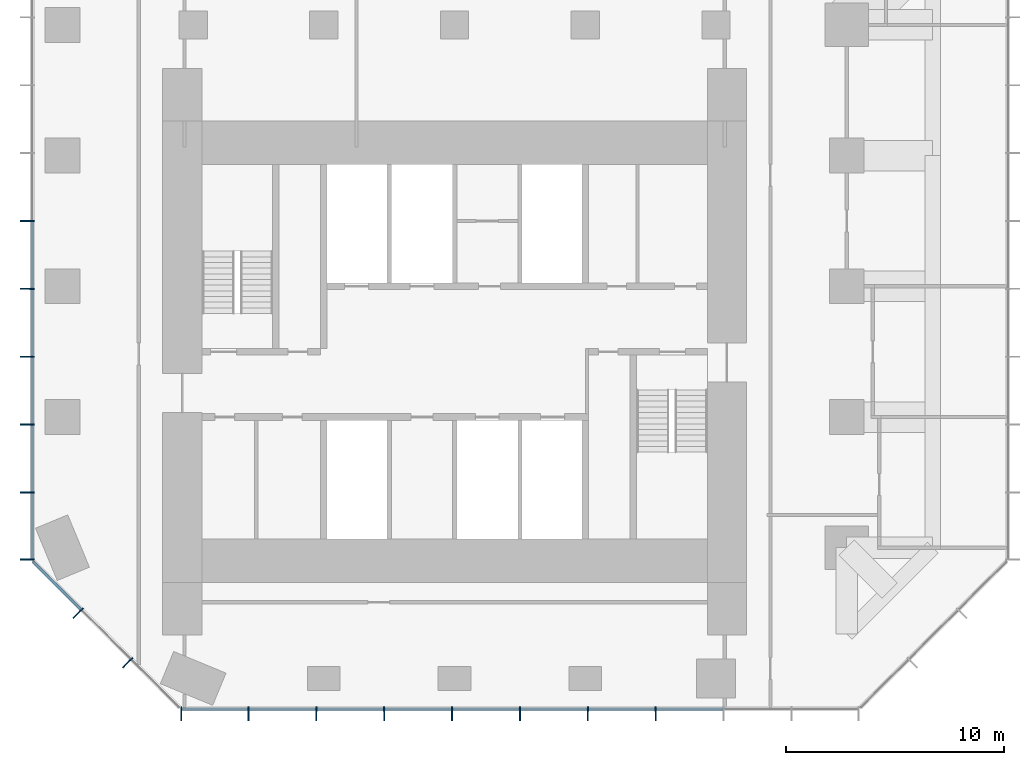
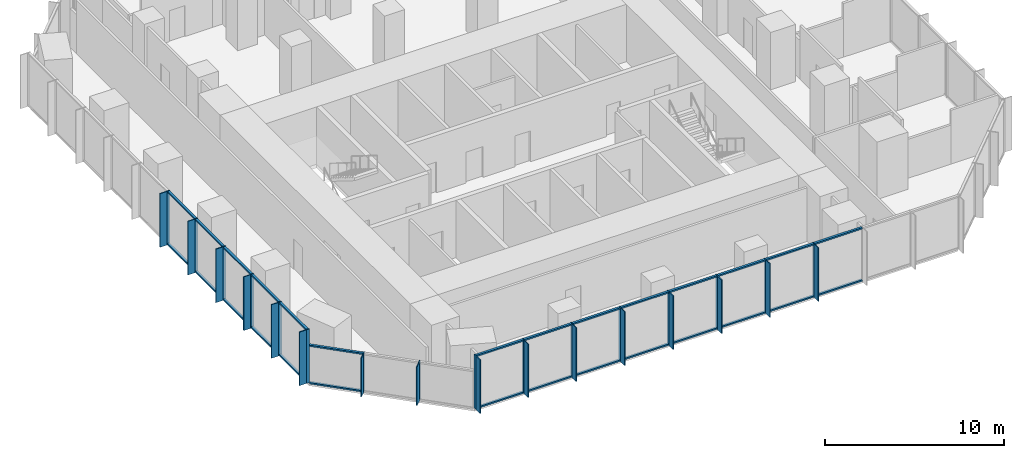
# One storey, part 2 of 11: 60 members, 3 elements without a shape of their own.
"""IFC4 building model written with IfcOpenShell, lengths in metres."""

from ifc_helpers import new_model, si_unit, direction, frame, origin, origin_2d, place, context, subcontext, project, spatial, rectangle, extrude, material, layer, layer_set, material_profile, profile_set, type_object, element, aggregate, save


model = new_model("IFC4")

# Units and contexts
model_context = context("Model", 3, precision=1e-05, world=origin(), true_north=direction((0.0, 1.0)))
body_context = subcontext(model_context, "Body", "Model", "MODEL_VIEW")
ifc_project = project(units=[si_unit("LENGTHUNIT", "METRE"), si_unit("AREAUNIT", "SQUARE_METRE"), si_unit("VOLUMEUNIT", "CUBIC_METRE"), si_unit("PLANEANGLEUNIT", "RADIAN"), si_unit("MASSUNIT", "GRAM", prefix="KILO")], contexts=[model_context])

# Site, building, storey
site_placement = place(None, origin())
site = spatial("IfcSite", under=ifc_project, at=site_placement, CompositionType="ELEMENT")
building_placement = place(site_placement, origin())
building = spatial("IfcBuilding", under=site, at=building_placement, Name="Highveld Stack Headquarters", CompositionType="ELEMENT")
storey_placement = place(building_placement, frame((0.0, 0.0, 185.0)))
storey = spatial("IfcBuildingStorey", under=building, at=storey_placement, Name="L45", CompositionType="ELEMENT", Elevation=185.0)

# Curtain wall, members
ifc_material_1 = material(Name="Aluminium bronze anodised", Category="aluminium")
ifc_layer_1 = layer(ifc_material_1, 0.199951171875)
ifc_layer_set_1 = layer_set([ifc_layer_1], Name="Aluminium bronze anodised")
curtain_wall_type_1 = type_object("IfcCurtainWallType", Name="CW1 TOWER UNITISED CURTAIN WALL", PredefinedType="NOTDEFINED", material=ifc_layer_set_1)
curtain_wall_1_placement = place(storey_placement, origin())
curtain_wall_1 = element("IfcCurtainWall", 1, at=curtain_wall_1_placement, inside=storey, type_object=curtain_wall_type_1, Name="Curtain wall CW1 L45 S", PredefinedType="NOTDEFINED")
ifc_material_2 = material(Name="Aluminium bronze anodised", Category="aluminium")
ifc_material_profile_1 = material_profile(ifc_material_2, rectangle(XDim=0.449951171875, YDim=0.06005859375, at=origin_2d()), Name="FIN 450x60")
ifc_profile_set_1 = profile_set([ifc_material_profile_1], Name="Aluminium bronze anodised")
member_type_1 = type_object("IfcMemberType", Name="CW1 BRONZE FIN 450x60", PredefinedType="USERDEFINED", material=ifc_profile_set_1)
member_1_placement = place(storey_placement, frame((-6.54736328125, -13.72509765625, 0.0), z_axis=(0.0, 0.0, 1.0), x_axis=(0.0, 1.0, 0.0)))
member_1 = element("IfcMember", 2, at=member_1_placement, type_object=member_type_1, Name="CW1 fin L45 1", ObjectType="FIN", PredefinedType="USERDEFINED", context=body_context, shape_type="SweptSolid", body=[
    extrude(rectangle(XDim=0.449951171875, YDim=0.06005859375, at=origin_2d()), origin(), (0.0, 0.0, 1.0), 3.64990234375),
])
member_2_placement = place(storey_placement, frame((-3.4638671875, -13.72509765625, 0.0), z_axis=(0.0, 0.0, 1.0), x_axis=(0.0, 1.0, 0.0)))
member_2 = element("IfcMember", 3, at=member_2_placement, type_object=member_type_1, Name="CW1 fin L45 2", ObjectType="FIN", PredefinedType="USERDEFINED", context=body_context, shape_type="SweptSolid", body=[
    extrude(rectangle(XDim=0.449951171875, YDim=0.06005859375, at=origin_2d()), origin(), (0.0, 0.0, 1.0), 3.64990234375),
])
member_3_placement = place(storey_placement, frame((-0.347900390625, -13.72509765625, 0.0), z_axis=(0.0, 0.0, 1.0), x_axis=(0.0, 1.0, 0.0)))
member_3 = element("IfcMember", 4, at=member_3_placement, type_object=member_type_1, Name="CW1 fin L45 3", ObjectType="FIN", PredefinedType="USERDEFINED", context=body_context, shape_type="SweptSolid", body=[
    extrude(rectangle(XDim=0.449951171875, YDim=0.06005859375, at=origin_2d()), origin(), (0.0, 0.0, 1.0), 3.64990234375),
])
member_4_placement = place(storey_placement, frame((2.76806640625, -13.72509765625, 0.0), z_axis=(0.0, 0.0, 1.0), x_axis=(0.0, 1.0, 0.0)))
member_4 = element("IfcMember", 5, at=member_4_placement, type_object=member_type_1, Name="CW1 fin L45 4", ObjectType="FIN", PredefinedType="USERDEFINED", context=body_context, shape_type="SweptSolid", body=[
    extrude(rectangle(XDim=0.449951171875, YDim=0.06005859375, at=origin_2d()), origin(), (0.0, 0.0, 1.0), 3.64990234375),
])
member_5_placement = place(storey_placement, frame((5.884033203125, -13.72509765625, 0.0), z_axis=(0.0, 0.0, 1.0), x_axis=(0.0, 1.0, 0.0)))
member_5 = element("IfcMember", 6, at=member_5_placement, type_object=member_type_1, Name="CW1 fin L45 5", ObjectType="FIN", PredefinedType="USERDEFINED", context=body_context, shape_type="SweptSolid", body=[
    extrude(rectangle(XDim=0.449951171875, YDim=0.06005859375, at=origin_2d()), origin(), (0.0, 0.0, 1.0), 3.64990234375),
])
member_6_placement = place(storey_placement, frame((9.0, -13.72509765625, 0.0), z_axis=(0.0, 0.0, 1.0), x_axis=(0.0, 1.0, 0.0)))
member_6 = element("IfcMember", 7, at=member_6_placement, type_object=member_type_1, Name="CW1 fin L45 6", ObjectType="FIN", PredefinedType="USERDEFINED", context=body_context, shape_type="SweptSolid", body=[
    extrude(rectangle(XDim=0.449951171875, YDim=0.06005859375, at=origin_2d()), origin(), (0.0, 0.0, 1.0), 3.64990234375),
])
member_7_placement = place(storey_placement, frame((12.115966796875, -13.72509765625, 0.0), z_axis=(0.0, 0.0, 1.0), x_axis=(0.0, 1.0, 0.0)))
member_7 = element("IfcMember", 8, at=member_7_placement, type_object=member_type_1, Name="CW1 fin L45 7", ObjectType="FIN", PredefinedType="USERDEFINED", context=body_context, shape_type="SweptSolid", body=[
    extrude(rectangle(XDim=0.449951171875, YDim=0.06005859375, at=origin_2d()), origin(), (0.0, 0.0, 1.0), 3.64990234375),
])
member_8_placement = place(storey_placement, frame((15.23193359375, -13.72509765625, 0.0), z_axis=(0.0, 0.0, 1.0), x_axis=(0.0, 1.0, 0.0)))
member_8 = element("IfcMember", 9, at=member_8_placement, type_object=member_type_1, Name="CW1 fin L45 8", ObjectType="FIN", PredefinedType="USERDEFINED", context=body_context, shape_type="SweptSolid", body=[
    extrude(rectangle(XDim=0.449951171875, YDim=0.06005859375, at=origin_2d()), origin(), (0.0, 0.0, 1.0), 3.64990234375),
])

curtain_wall_2_placement = place(storey_placement, origin())
curtain_wall_2 = element("IfcCurtainWall", 10, at=curtain_wall_2_placement, inside=storey, type_object=curtain_wall_type_1, Name="Curtain wall CW1 L45 W", PredefinedType="NOTDEFINED")
member_9_placement = place(storey_placement, frame((-13.72509765625, 9.0, 0.0), z_axis=(0.0, 0.0, 1.0), x_axis=(1.0, 0.0, 0.0)))
member_9 = element("IfcMember", 11, at=member_9_placement, type_object=member_type_1, Name="CW1 fin L45 6", ObjectType="FIN", PredefinedType="USERDEFINED", context=body_context, shape_type="SweptSolid", body=[
    extrude(rectangle(XDim=0.449951171875, YDim=0.06005859375, at=origin_2d()), origin(), (0.0, 0.0, 1.0), 3.64990234375),
])
member_10_placement = place(storey_placement, frame((-13.72509765625, 5.884033203125, 0.0), z_axis=(0.0, 0.0, 1.0), x_axis=(1.0, 0.0, 0.0)))
member_10 = element("IfcMember", 12, at=member_10_placement, type_object=member_type_1, Name="CW1 fin L45 7", ObjectType="FIN", PredefinedType="USERDEFINED", context=body_context, shape_type="SweptSolid", body=[
    extrude(rectangle(XDim=0.449951171875, YDim=0.06005859375, at=origin_2d()), origin(), (0.0, 0.0, 1.0), 3.64990234375),
])
member_11_placement = place(storey_placement, frame((-13.72509765625, 2.76806640625, 0.0), z_axis=(0.0, 0.0, 1.0), x_axis=(1.0, 0.0, 0.0)))
member_11 = element("IfcMember", 13, at=member_11_placement, type_object=member_type_1, Name="CW1 fin L45 8", ObjectType="FIN", PredefinedType="USERDEFINED", context=body_context, shape_type="SweptSolid", body=[
    extrude(rectangle(XDim=0.449951171875, YDim=0.06005859375, at=origin_2d()), origin(), (0.0, 0.0, 1.0), 3.64990234375),
])
member_12_placement = place(storey_placement, frame((-13.72509765625, -0.347900390625, 0.0), z_axis=(0.0, 0.0, 1.0), x_axis=(1.0, 0.0, 0.0)))
member_12 = element("IfcMember", 14, at=member_12_placement, type_object=member_type_1, Name="CW1 fin L45 9", ObjectType="FIN", PredefinedType="USERDEFINED", context=body_context, shape_type="SweptSolid", body=[
    extrude(rectangle(XDim=0.449951171875, YDim=0.06005859375, at=origin_2d()), origin(), (0.0, 0.0, 1.0), 3.64990234375),
])
member_13_placement = place(storey_placement, frame((-13.72509765625, -3.4638671875, 0.0), z_axis=(0.0, 0.0, 1.0), x_axis=(1.0, 0.0, 0.0)))
member_13 = element("IfcMember", 15, at=member_13_placement, type_object=member_type_1, Name="CW1 fin L45 10", ObjectType="FIN", PredefinedType="USERDEFINED", context=body_context, shape_type="SweptSolid", body=[
    extrude(rectangle(XDim=0.449951171875, YDim=0.06005859375, at=origin_2d()), origin(), (0.0, 0.0, 1.0), 3.64990234375),
])
member_14_placement = place(storey_placement, frame((-13.72509765625, -6.54736328125, 0.0), z_axis=(0.0, 0.0, 1.0), x_axis=(1.0, 0.0, 0.0)))
member_14 = element("IfcMember", 16, at=member_14_placement, type_object=member_type_1, Name="CW1 fin L45 11", ObjectType="FIN", PredefinedType="USERDEFINED", context=body_context, shape_type="SweptSolid", body=[
    extrude(rectangle(XDim=0.449951171875, YDim=0.06005859375, at=origin_2d()), origin(), (0.0, 0.0, 1.0), 3.64990234375),
])

# Member
ifc_material_3 = material(Name="Aluminium bronze anodised", Category="aluminium")
ifc_material_profile_2 = material_profile(ifc_material_3, rectangle(XDim=0.199951171875, YDim=0.06494140625, at=origin_2d()), Name="CW1 MULLION 65x200")
ifc_profile_set_2 = profile_set([ifc_material_profile_2], Name="Aluminium bronze anodised")
member_type_2 = type_object("IfcMemberType", Name="CW1 MULLION 65x200", PredefinedType="MULLION", material=ifc_profile_set_2)
member_15_placement = place(storey_placement, frame((-6.54736328125, -13.39990234375, 0.0), z_axis=(0.0, 0.0, 1.0), x_axis=(0.0, 1.0, 0.0)))
member_15 = element("IfcMember", 17, at=member_15_placement, type_object=member_type_2, Name="CW1 mullion L45 1", PredefinedType="MULLION", context=body_context, shape_type="SweptSolid", body=[
    extrude(rectangle(XDim=0.199951171875, YDim=0.06494140625, at=origin_2d()), origin(), (0.0, 0.0, 1.0), 3.64990234375),
])

member_16_placement = place(storey_placement, frame((-3.4638671875, -13.39990234375, 0.0), z_axis=(0.0, 0.0, 1.0), x_axis=(0.0, 1.0, 0.0)))
member_16 = element("IfcMember", 18, at=member_16_placement, type_object=member_type_2, Name="CW1 mullion L45 2", PredefinedType="MULLION", context=body_context, shape_type="SweptSolid", body=[
    extrude(rectangle(XDim=0.199951171875, YDim=0.06494140625, at=origin_2d()), origin(), (0.0, 0.0, 1.0), 3.64990234375),
])

member_17_placement = place(storey_placement, frame((-0.347900390625, -13.39990234375, 0.0), z_axis=(0.0, 0.0, 1.0), x_axis=(0.0, 1.0, 0.0)))
member_17 = element("IfcMember", 19, at=member_17_placement, type_object=member_type_2, Name="CW1 mullion L45 3", PredefinedType="MULLION", context=body_context, shape_type="SweptSolid", body=[
    extrude(rectangle(XDim=0.199951171875, YDim=0.06494140625, at=origin_2d()), origin(), (0.0, 0.0, 1.0), 3.64990234375),
])

member_18_placement = place(storey_placement, frame((2.76806640625, -13.39990234375, 0.0), z_axis=(0.0, 0.0, 1.0), x_axis=(0.0, 1.0, 0.0)))
member_18 = element("IfcMember", 20, at=member_18_placement, type_object=member_type_2, Name="CW1 mullion L45 4", PredefinedType="MULLION", context=body_context, shape_type="SweptSolid", body=[
    extrude(rectangle(XDim=0.199951171875, YDim=0.06494140625, at=origin_2d()), origin(), (0.0, 0.0, 1.0), 3.64990234375),
])

member_19_placement = place(storey_placement, frame((5.884033203125, -13.39990234375, 0.0), z_axis=(0.0, 0.0, 1.0), x_axis=(0.0, 1.0, 0.0)))
member_19 = element("IfcMember", 21, at=member_19_placement, type_object=member_type_2, Name="CW1 mullion L45 5", PredefinedType="MULLION", context=body_context, shape_type="SweptSolid", body=[
    extrude(rectangle(XDim=0.199951171875, YDim=0.06494140625, at=origin_2d()), origin(), (0.0, 0.0, 1.0), 3.64990234375),
])

member_20_placement = place(storey_placement, frame((9.0, -13.39990234375, 0.0), z_axis=(0.0, 0.0, 1.0), x_axis=(0.0, 1.0, 0.0)))
member_20 = element("IfcMember", 22, at=member_20_placement, type_object=member_type_2, Name="CW1 mullion L45 6", PredefinedType="MULLION", context=body_context, shape_type="SweptSolid", body=[
    extrude(rectangle(XDim=0.199951171875, YDim=0.06494140625, at=origin_2d()), origin(), (0.0, 0.0, 1.0), 3.64990234375),
])

member_21_placement = place(storey_placement, frame((12.115966796875, -13.39990234375, 0.0), z_axis=(0.0, 0.0, 1.0), x_axis=(0.0, 1.0, 0.0)))
member_21 = element("IfcMember", 23, at=member_21_placement, type_object=member_type_2, Name="CW1 mullion L45 7", PredefinedType="MULLION", context=body_context, shape_type="SweptSolid", body=[
    extrude(rectangle(XDim=0.199951171875, YDim=0.06494140625, at=origin_2d()), origin(), (0.0, 0.0, 1.0), 3.64990234375),
])

member_22_placement = place(storey_placement, frame((15.23193359375, -13.39990234375, 0.0), z_axis=(0.0, 0.0, 1.0), x_axis=(0.0, 1.0, 0.0)))
member_22 = element("IfcMember", 24, at=member_22_placement, type_object=member_type_2, Name="CW1 mullion L45 8", PredefinedType="MULLION", context=body_context, shape_type="SweptSolid", body=[
    extrude(rectangle(XDim=0.199951171875, YDim=0.06494140625, at=origin_2d()), origin(), (0.0, 0.0, 1.0), 3.64990234375),
])

member_23_placement = place(storey_placement, frame((-13.39990234375, 9.0, 0.0), z_axis=(0.0, 0.0, 1.0), x_axis=(1.0, 0.0, 0.0)))
member_23 = element("IfcMember", 25, at=member_23_placement, type_object=member_type_2, Name="CW1 mullion L45 6", PredefinedType="MULLION", context=body_context, shape_type="SweptSolid", body=[
    extrude(rectangle(XDim=0.199951171875, YDim=0.06494140625, at=origin_2d()), origin(), (0.0, 0.0, 1.0), 3.64990234375),
])

member_24_placement = place(storey_placement, frame((-13.39990234375, 5.884033203125, 0.0), z_axis=(0.0, 0.0, 1.0), x_axis=(1.0, 0.0, 0.0)))
member_24 = element("IfcMember", 26, at=member_24_placement, type_object=member_type_2, Name="CW1 mullion L45 7", PredefinedType="MULLION", context=body_context, shape_type="SweptSolid", body=[
    extrude(rectangle(XDim=0.199951171875, YDim=0.06494140625, at=origin_2d()), origin(), (0.0, 0.0, 1.0), 3.64990234375),
])

member_25_placement = place(storey_placement, frame((-13.39990234375, 2.76806640625, 0.0), z_axis=(0.0, 0.0, 1.0), x_axis=(1.0, 0.0, 0.0)))
member_25 = element("IfcMember", 27, at=member_25_placement, type_object=member_type_2, Name="CW1 mullion L45 8", PredefinedType="MULLION", context=body_context, shape_type="SweptSolid", body=[
    extrude(rectangle(XDim=0.199951171875, YDim=0.06494140625, at=origin_2d()), origin(), (0.0, 0.0, 1.0), 3.64990234375),
])

member_26_placement = place(storey_placement, frame((-13.39990234375, -0.347900390625, 0.0), z_axis=(0.0, 0.0, 1.0), x_axis=(1.0, 0.0, 0.0)))
member_26 = element("IfcMember", 28, at=member_26_placement, type_object=member_type_2, Name="CW1 mullion L45 9", PredefinedType="MULLION", context=body_context, shape_type="SweptSolid", body=[
    extrude(rectangle(XDim=0.199951171875, YDim=0.06494140625, at=origin_2d()), origin(), (0.0, 0.0, 1.0), 3.64990234375),
])

member_27_placement = place(storey_placement, frame((-13.39990234375, -3.4638671875, 0.0), z_axis=(0.0, 0.0, 1.0), x_axis=(1.0, 0.0, 0.0)))
member_27 = element("IfcMember", 29, at=member_27_placement, type_object=member_type_2, Name="CW1 mullion L45 10", PredefinedType="MULLION", context=body_context, shape_type="SweptSolid", body=[
    extrude(rectangle(XDim=0.199951171875, YDim=0.06494140625, at=origin_2d()), origin(), (0.0, 0.0, 1.0), 3.64990234375),
])

member_28_placement = place(storey_placement, frame((-13.39990234375, -6.54736328125, 0.0), z_axis=(0.0, 0.0, 1.0), x_axis=(1.0, 0.0, 0.0)))
member_28 = element("IfcMember", 30, at=member_28_placement, type_object=member_type_2, Name="CW1 mullion L45 11", PredefinedType="MULLION", context=body_context, shape_type="SweptSolid", body=[
    extrude(rectangle(XDim=0.199951171875, YDim=0.06494140625, at=origin_2d()), origin(), (0.0, 0.0, 1.0), 3.64990234375),
])

ifc_material_4 = material(Name="Aluminium bronze anodised", Category="aluminium")
ifc_material_profile_3 = material_profile(ifc_material_4, rectangle(XDim=0.14990234375, YDim=0.10009765625, at=origin_2d()), Name="CW1 TRANSOM 150x100")
ifc_profile_set_3 = profile_set([ifc_material_profile_3], Name="Aluminium bronze anodised")
member_type_3 = type_object("IfcMemberType", Name="CW1 STACK TRANSOM 150x100", PredefinedType="USERDEFINED", material=ifc_profile_set_3)
member_29_placement = place(storey_placement, frame((-6.514892578125, -13.39990234375, 0.050048828125), z_axis=(1.0, 0.0, 0.0), x_axis=(0.0, 1.0, 0.0)))
member_29 = element("IfcMember", 31, at=member_29_placement, type_object=member_type_3, Name="CW1 transom L45 1.1", ObjectType="TRANSOM", PredefinedType="USERDEFINED", context=body_context, shape_type="SweptSolid", body=[
    extrude(rectangle(XDim=0.14990234375, YDim=0.10009765625, at=origin_2d()), origin(), (0.0, 0.0, 1.0), 3.0185546875),
])

member_30_placement = place(storey_placement, frame((-6.514892578125, -13.39990234375, 3.60009765625), z_axis=(1.0, 0.0, 0.0), x_axis=(0.0, 1.0, 0.0)))
member_30 = element("IfcMember", 32, at=member_30_placement, type_object=member_type_3, Name="CW1 transom L45 1.2", ObjectType="TRANSOM", PredefinedType="USERDEFINED", context=body_context, shape_type="SweptSolid", body=[
    extrude(rectangle(XDim=0.14990234375, YDim=0.10009765625, at=origin_2d()), origin(), (0.0, 0.0, 1.0), 3.0185546875),
])

member_31_placement = place(storey_placement, frame((-3.431396484375, -13.39990234375, 0.050048828125), z_axis=(1.0, 0.0, 0.0), x_axis=(0.0, 1.0, 0.0)))
member_31 = element("IfcMember", 33, at=member_31_placement, type_object=member_type_3, Name="CW1 transom L45 2.1", ObjectType="TRANSOM", PredefinedType="USERDEFINED", context=body_context, shape_type="SweptSolid", body=[
    extrude(rectangle(XDim=0.14990234375, YDim=0.10009765625, at=origin_2d()), origin(), (0.0, 0.0, 1.0), 3.051025390625),
])

member_32_placement = place(storey_placement, frame((-3.431396484375, -13.39990234375, 3.60009765625), z_axis=(1.0, 0.0, 0.0), x_axis=(0.0, 1.0, 0.0)))
member_32 = element("IfcMember", 34, at=member_32_placement, type_object=member_type_3, Name="CW1 transom L45 2.2", ObjectType="TRANSOM", PredefinedType="USERDEFINED", context=body_context, shape_type="SweptSolid", body=[
    extrude(rectangle(XDim=0.14990234375, YDim=0.10009765625, at=origin_2d()), origin(), (0.0, 0.0, 1.0), 3.051025390625),
])

member_33_placement = place(storey_placement, frame((-0.3154296875, -13.39990234375, 0.050048828125), z_axis=(1.0, 0.0, 0.0), x_axis=(0.0, 1.0, 0.0)))
member_33 = element("IfcMember", 35, at=member_33_placement, type_object=member_type_3, Name="CW1 transom L45 3.1", ObjectType="TRANSOM", PredefinedType="USERDEFINED", context=body_context, shape_type="SweptSolid", body=[
    extrude(rectangle(XDim=0.14990234375, YDim=0.10009765625, at=origin_2d()), origin(), (0.0, 0.0, 1.0), 3.051025390625),
])

member_34_placement = place(storey_placement, frame((-0.3154296875, -13.39990234375, 3.60009765625), z_axis=(1.0, 0.0, 0.0), x_axis=(0.0, 1.0, 0.0)))
member_34 = element("IfcMember", 36, at=member_34_placement, type_object=member_type_3, Name="CW1 transom L45 3.2", ObjectType="TRANSOM", PredefinedType="USERDEFINED", context=body_context, shape_type="SweptSolid", body=[
    extrude(rectangle(XDim=0.14990234375, YDim=0.10009765625, at=origin_2d()), origin(), (0.0, 0.0, 1.0), 3.051025390625),
])

member_35_placement = place(storey_placement, frame((2.800537109375, -13.39990234375, 0.050048828125), z_axis=(1.0, 0.0, 0.0), x_axis=(0.0, 1.0, 0.0)))
member_35 = element("IfcMember", 37, at=member_35_placement, type_object=member_type_3, Name="CW1 transom L45 4.1", ObjectType="TRANSOM", PredefinedType="USERDEFINED", context=body_context, shape_type="SweptSolid", body=[
    extrude(rectangle(XDim=0.14990234375, YDim=0.10009765625, at=origin_2d()), origin(), (0.0, 0.0, 1.0), 3.051025390625),
])

member_36_placement = place(storey_placement, frame((2.800537109375, -13.39990234375, 3.60009765625), z_axis=(1.0, 0.0, 0.0), x_axis=(0.0, 1.0, 0.0)))
member_36 = element("IfcMember", 38, at=member_36_placement, type_object=member_type_3, Name="CW1 transom L45 4.2", ObjectType="TRANSOM", PredefinedType="USERDEFINED", context=body_context, shape_type="SweptSolid", body=[
    extrude(rectangle(XDim=0.14990234375, YDim=0.10009765625, at=origin_2d()), origin(), (0.0, 0.0, 1.0), 3.051025390625),
])

member_37_placement = place(storey_placement, frame((5.91650390625, -13.39990234375, 0.050048828125), z_axis=(1.0, 0.0, 0.0), x_axis=(0.0, 1.0, 0.0)))
member_37 = element("IfcMember", 39, at=member_37_placement, type_object=member_type_3, Name="CW1 transom L45 5.1", ObjectType="TRANSOM", PredefinedType="USERDEFINED", context=body_context, shape_type="SweptSolid", body=[
    extrude(rectangle(XDim=0.14990234375, YDim=0.10009765625, at=origin_2d()), origin(), (0.0, 0.0, 1.0), 3.051025390625),
])

member_38_placement = place(storey_placement, frame((5.91650390625, -13.39990234375, 3.60009765625), z_axis=(1.0, 0.0, 0.0), x_axis=(0.0, 1.0, 0.0)))
member_38 = element("IfcMember", 40, at=member_38_placement, type_object=member_type_3, Name="CW1 transom L45 5.2", ObjectType="TRANSOM", PredefinedType="USERDEFINED", context=body_context, shape_type="SweptSolid", body=[
    extrude(rectangle(XDim=0.14990234375, YDim=0.10009765625, at=origin_2d()), origin(), (0.0, 0.0, 1.0), 3.051025390625),
])

member_39_placement = place(storey_placement, frame((9.032470703125, -13.39990234375, 0.050048828125), z_axis=(1.0, 0.0, 0.0), x_axis=(0.0, 1.0, 0.0)))
member_39 = element("IfcMember", 41, at=member_39_placement, type_object=member_type_3, Name="CW1 transom L45 6.1", ObjectType="TRANSOM", PredefinedType="USERDEFINED", context=body_context, shape_type="SweptSolid", body=[
    extrude(rectangle(XDim=0.14990234375, YDim=0.10009765625, at=origin_2d()), origin(), (0.0, 0.0, 1.0), 3.051025390625),
])

member_40_placement = place(storey_placement, frame((9.032470703125, -13.39990234375, 3.60009765625), z_axis=(1.0, 0.0, 0.0), x_axis=(0.0, 1.0, 0.0)))
member_40 = element("IfcMember", 42, at=member_40_placement, type_object=member_type_3, Name="CW1 transom L45 6.2", ObjectType="TRANSOM", PredefinedType="USERDEFINED", context=body_context, shape_type="SweptSolid", body=[
    extrude(rectangle(XDim=0.14990234375, YDim=0.10009765625, at=origin_2d()), origin(), (0.0, 0.0, 1.0), 3.051025390625),
])

member_41_placement = place(storey_placement, frame((12.1484375, -13.39990234375, 0.050048828125), z_axis=(1.0, 0.0, 0.0), x_axis=(0.0, 1.0, 0.0)))
member_41 = element("IfcMember", 43, at=member_41_placement, type_object=member_type_3, Name="CW1 transom L45 7.1", ObjectType="TRANSOM", PredefinedType="USERDEFINED", context=body_context, shape_type="SweptSolid", body=[
    extrude(rectangle(XDim=0.14990234375, YDim=0.10009765625, at=origin_2d()), origin(), (0.0, 0.0, 1.0), 3.051025390625),
])

member_42_placement = place(storey_placement, frame((12.1484375, -13.39990234375, 3.60009765625), z_axis=(1.0, 0.0, 0.0), x_axis=(0.0, 1.0, 0.0)))
member_42 = element("IfcMember", 44, at=member_42_placement, type_object=member_type_3, Name="CW1 transom L45 7.2", ObjectType="TRANSOM", PredefinedType="USERDEFINED", context=body_context, shape_type="SweptSolid", body=[
    extrude(rectangle(XDim=0.14990234375, YDim=0.10009765625, at=origin_2d()), origin(), (0.0, 0.0, 1.0), 3.051025390625),
])

member_43_placement = place(storey_placement, frame((15.264404296875, -13.39990234375, 0.050048828125), z_axis=(1.0, 0.0, 0.0), x_axis=(0.0, 1.0, 0.0)))
member_43 = element("IfcMember", 45, at=member_43_placement, type_object=member_type_3, Name="CW1 transom L45 8.1", ObjectType="TRANSOM", PredefinedType="USERDEFINED", context=body_context, shape_type="SweptSolid", body=[
    extrude(rectangle(XDim=0.14990234375, YDim=0.10009765625, at=origin_2d()), origin(), (0.0, 0.0, 1.0), 3.051025390625),
])

member_44_placement = place(storey_placement, frame((15.264404296875, -13.39990234375, 3.60009765625), z_axis=(1.0, 0.0, 0.0), x_axis=(0.0, 1.0, 0.0)))
member_44 = element("IfcMember", 46, at=member_44_placement, type_object=member_type_3, Name="CW1 transom L45 8.2", ObjectType="TRANSOM", PredefinedType="USERDEFINED", context=body_context, shape_type="SweptSolid", body=[
    extrude(rectangle(XDim=0.14990234375, YDim=0.10009765625, at=origin_2d()), origin(), (0.0, 0.0, 1.0), 3.051025390625),
])

aggregate(curtain_wall_1, [member_15, member_1, member_16, member_2, member_17, member_3, member_18, member_4, member_19, member_5, member_20, member_6, member_21, member_7, member_22, member_8, member_29, member_30, member_31, member_32, member_33, member_34, member_35, member_36, member_37, member_38, member_39, member_40, member_41, member_42, member_43, member_44])

member_45_placement = place(storey_placement, frame((-13.39990234375, 8.967529296875, 0.050048828125), z_axis=(0.0, -1.0, 0.0), x_axis=(1.0, 0.0, 0.0)))
member_45 = element("IfcMember", 47, at=member_45_placement, type_object=member_type_3, Name="CW1 transom L45 6.1", ObjectType="TRANSOM", PredefinedType="USERDEFINED", context=body_context, shape_type="SweptSolid", body=[
    extrude(rectangle(XDim=0.14990234375, YDim=0.10009765625, at=origin_2d()), origin(), (0.0, 0.0, 1.0), 3.051025390625),
])

member_46_placement = place(storey_placement, frame((-13.39990234375, 8.967529296875, 3.60009765625), z_axis=(0.0, -1.0, 0.0), x_axis=(1.0, 0.0, 0.0)))
member_46 = element("IfcMember", 48, at=member_46_placement, type_object=member_type_3, Name="CW1 transom L45 6.2", ObjectType="TRANSOM", PredefinedType="USERDEFINED", context=body_context, shape_type="SweptSolid", body=[
    extrude(rectangle(XDim=0.14990234375, YDim=0.10009765625, at=origin_2d()), origin(), (0.0, 0.0, 1.0), 3.051025390625),
])

member_47_placement = place(storey_placement, frame((-13.39990234375, 5.8515625, 0.050048828125), z_axis=(0.0, -1.0, 0.0), x_axis=(1.0, 0.0, 0.0)))
member_47 = element("IfcMember", 49, at=member_47_placement, type_object=member_type_3, Name="CW1 transom L45 7.1", ObjectType="TRANSOM", PredefinedType="USERDEFINED", context=body_context, shape_type="SweptSolid", body=[
    extrude(rectangle(XDim=0.14990234375, YDim=0.10009765625, at=origin_2d()), origin(), (0.0, 0.0, 1.0), 3.051025390625),
])

member_48_placement = place(storey_placement, frame((-13.39990234375, 5.8515625, 3.60009765625), z_axis=(0.0, -1.0, 0.0), x_axis=(1.0, 0.0, 0.0)))
member_48 = element("IfcMember", 50, at=member_48_placement, type_object=member_type_3, Name="CW1 transom L45 7.2", ObjectType="TRANSOM", PredefinedType="USERDEFINED", context=body_context, shape_type="SweptSolid", body=[
    extrude(rectangle(XDim=0.14990234375, YDim=0.10009765625, at=origin_2d()), origin(), (0.0, 0.0, 1.0), 3.051025390625),
])

member_49_placement = place(storey_placement, frame((-13.39990234375, 2.735595703125, 0.050048828125), z_axis=(0.0, -1.0, 0.0), x_axis=(1.0, 0.0, 0.0)))
member_49 = element("IfcMember", 51, at=member_49_placement, type_object=member_type_3, Name="CW1 transom L45 8.1", ObjectType="TRANSOM", PredefinedType="USERDEFINED", context=body_context, shape_type="SweptSolid", body=[
    extrude(rectangle(XDim=0.14990234375, YDim=0.10009765625, at=origin_2d()), origin(), (0.0, 0.0, 1.0), 3.051025390625),
])

member_50_placement = place(storey_placement, frame((-13.39990234375, 2.735595703125, 3.60009765625), z_axis=(0.0, -1.0, 0.0), x_axis=(1.0, 0.0, 0.0)))
member_50 = element("IfcMember", 52, at=member_50_placement, type_object=member_type_3, Name="CW1 transom L45 8.2", ObjectType="TRANSOM", PredefinedType="USERDEFINED", context=body_context, shape_type="SweptSolid", body=[
    extrude(rectangle(XDim=0.14990234375, YDim=0.10009765625, at=origin_2d()), origin(), (0.0, 0.0, 1.0), 3.051025390625),
])

member_51_placement = place(storey_placement, frame((-13.39990234375, -0.38037109375, 0.050048828125), z_axis=(0.0, -1.0, 0.0), x_axis=(1.0, 0.0, 0.0)))
member_51 = element("IfcMember", 53, at=member_51_placement, type_object=member_type_3, Name="CW1 transom L45 9.1", ObjectType="TRANSOM", PredefinedType="USERDEFINED", context=body_context, shape_type="SweptSolid", body=[
    extrude(rectangle(XDim=0.14990234375, YDim=0.10009765625, at=origin_2d()), origin(), (0.0, 0.0, 1.0), 3.051025390625),
])

member_52_placement = place(storey_placement, frame((-13.39990234375, -0.38037109375, 3.60009765625), z_axis=(0.0, -1.0, 0.0), x_axis=(1.0, 0.0, 0.0)))
member_52 = element("IfcMember", 54, at=member_52_placement, type_object=member_type_3, Name="CW1 transom L45 9.2", ObjectType="TRANSOM", PredefinedType="USERDEFINED", context=body_context, shape_type="SweptSolid", body=[
    extrude(rectangle(XDim=0.14990234375, YDim=0.10009765625, at=origin_2d()), origin(), (0.0, 0.0, 1.0), 3.051025390625),
])

member_53_placement = place(storey_placement, frame((-13.39990234375, -3.496337890625, 0.050048828125), z_axis=(0.0, -1.0, 0.0), x_axis=(1.0, 0.0, 0.0)))
member_53 = element("IfcMember", 55, at=member_53_placement, type_object=member_type_3, Name="CW1 transom L45 10.1", ObjectType="TRANSOM", PredefinedType="USERDEFINED", context=body_context, shape_type="SweptSolid", body=[
    extrude(rectangle(XDim=0.14990234375, YDim=0.10009765625, at=origin_2d()), origin(), (0.0, 0.0, 1.0), 3.0185546875),
])

member_54_placement = place(storey_placement, frame((-13.39990234375, -3.496337890625, 3.60009765625), z_axis=(0.0, -1.0, 0.0), x_axis=(1.0, 0.0, 0.0)))
member_54 = element("IfcMember", 56, at=member_54_placement, type_object=member_type_3, Name="CW1 transom L45 10.2", ObjectType="TRANSOM", PredefinedType="USERDEFINED", context=body_context, shape_type="SweptSolid", body=[
    extrude(rectangle(XDim=0.14990234375, YDim=0.10009765625, at=origin_2d()), origin(), (0.0, 0.0, 1.0), 3.0185546875),
])

aggregate(curtain_wall_2, [member_23, member_9, member_24, member_10, member_25, member_11, member_26, member_12, member_27, member_13, member_28, member_14, member_45, member_46, member_47, member_48, member_49, member_50, member_51, member_52, member_53, member_54])

# Curtain wall, members
ifc_material_5 = material(Name="Aluminium bronze anodised", Category="aluminium")
ifc_layer_2 = layer(ifc_material_5, 0.199951171875)
ifc_layer_set_2 = layer_set([ifc_layer_2], Name="Aluminium bronze anodised")
curtain_wall_type_2 = type_object("IfcCurtainWallType", Name="CW2 TOWER CHAMFER UNITISED CURTAIN WALL", PredefinedType="NOTDEFINED", material=ifc_layer_set_2)
curtain_wall_3_placement = place(storey_placement, origin())
curtain_wall_3 = element("IfcCurtainWall", 57, at=curtain_wall_3_placement, inside=storey, type_object=curtain_wall_type_2, Name="Curtain wall CW2 L45 SW", PredefinedType="NOTDEFINED")
ifc_material_6 = material(Name="Aluminium bronze anodised", Category="aluminium")
ifc_material_profile_4 = material_profile(ifc_material_6, rectangle(XDim=0.449951171875, YDim=0.06005859375, at=origin_2d()), Name="FIN 450x60")
ifc_profile_set_4 = profile_set([ifc_material_profile_4], Name="Aluminium bronze anodised")
member_type_4 = type_object("IfcMemberType", Name="CW2 BRONZE FIN 450x60", PredefinedType="USERDEFINED", material=ifc_profile_set_4)
member_55_placement = place(storey_placement, frame((-11.3564453125, -9.0830078125, 0.0), z_axis=(0.0, 0.0, 1.0), x_axis=(0.707106781187, 0.707106781187, 0.0)))
member_55 = element("IfcMember", 58, at=member_55_placement, type_object=member_type_4, Name="CW2 fin L45 1", ObjectType="FIN", PredefinedType="USERDEFINED", context=body_context, shape_type="SweptSolid", body=[
    extrude(rectangle(XDim=0.449951171875, YDim=0.06005859375, at=origin_2d()), origin(), (0.0, 0.0, 1.0), 2.64990234375),
])
member_56_placement = place(storey_placement, frame((-9.0830078125, -11.3564453125, 0.0), z_axis=(0.0, 0.0, 1.0), x_axis=(0.707106781187, 0.707106781187, 0.0)))
member_56 = element("IfcMember", 59, at=member_56_placement, type_object=member_type_4, Name="CW2 fin L45 2", ObjectType="FIN", PredefinedType="USERDEFINED", context=body_context, shape_type="SweptSolid", body=[
    extrude(rectangle(XDim=0.449951171875, YDim=0.06005859375, at=origin_2d()), origin(), (0.0, 0.0, 1.0), 2.64990234375),
])
ifc_material_7 = material(Name="Aluminium bronze anodised", Category="aluminium")
ifc_material_profile_5 = material_profile(ifc_material_7, rectangle(XDim=0.199951171875, YDim=0.06494140625, at=origin_2d()), Name="CW2 MULLION 65x200")
ifc_profile_set_5 = profile_set([ifc_material_profile_5], Name="Aluminium bronze anodised")
member_type_5 = type_object("IfcMemberType", Name="CW2 MULLION 65x200", PredefinedType="MULLION", material=ifc_profile_set_5)
member_57_placement = place(storey_placement, frame((-11.126708984375, -8.853271484375, 0.0), z_axis=(0.0, 0.0, 1.0), x_axis=(0.707106781187, 0.707106781187, 0.0)))
member_57 = element("IfcMember", 60, at=member_57_placement, type_object=member_type_5, Name="CW2 mullion L45 1", PredefinedType="MULLION", context=body_context, shape_type="SweptSolid", body=[
    extrude(rectangle(XDim=0.199951171875, YDim=0.06494140625, at=origin_2d()), origin(), (0.0, 0.0, 1.0), 2.64990234375),
])
member_58_placement = place(storey_placement, frame((-8.853271484375, -11.126708984375, 0.0), z_axis=(0.0, 0.0, 1.0), x_axis=(0.707106781187, 0.707106781187, 0.0)))
member_58 = element("IfcMember", 61, at=member_58_placement, type_object=member_type_5, Name="CW2 mullion L45 2", PredefinedType="MULLION", context=body_context, shape_type="SweptSolid", body=[
    extrude(rectangle(XDim=0.199951171875, YDim=0.06494140625, at=origin_2d()), origin(), (0.0, 0.0, 1.0), 2.64990234375),
])
ifc_material_8 = material(Name="Aluminium bronze anodised", Category="aluminium")
ifc_material_profile_6 = material_profile(ifc_material_8, rectangle(XDim=0.14990234375, YDim=0.10009765625, at=origin_2d()), Name="CW2 TRANSOM 150x100")
ifc_profile_set_6 = profile_set([ifc_material_profile_6], Name="Aluminium bronze anodised")
member_type_6 = type_object("IfcMemberType", Name="CW2 STACK TRANSOM 150x100", PredefinedType="USERDEFINED", material=ifc_profile_set_6)
member_59_placement = place(storey_placement, frame((-13.329345703125, -6.650634765625, 0.050048828125), z_axis=(0.707106781187, -0.707106781187, 0.0), x_axis=(0.707106781187, 0.707106781187, 0.0)))
member_59 = element("IfcMember", 62, at=member_59_placement, type_object=member_type_6, Name="CW2 transom L45 1.1", ObjectType="TRANSOM", PredefinedType="USERDEFINED", context=body_context, shape_type="SweptSolid", body=[
    extrude(rectangle(XDim=0.14990234375, YDim=0.10009765625, at=origin_2d()), origin(), (0.0, 0.0, 1.0), 3.08251953125),
])
member_60_placement = place(storey_placement, frame((-13.329345703125, -6.650634765625, 2.60009765625), z_axis=(0.707106781187, -0.707106781187, 0.0), x_axis=(0.707106781187, 0.707106781187, 0.0)))
member_60 = element("IfcMember", 63, at=member_60_placement, type_object=member_type_6, Name="CW2 transom L45 1.2", ObjectType="TRANSOM", PredefinedType="USERDEFINED", context=body_context, shape_type="SweptSolid", body=[
    extrude(rectangle(XDim=0.14990234375, YDim=0.10009765625, at=origin_2d()), origin(), (0.0, 0.0, 1.0), 3.08251953125),
])
aggregate(curtain_wall_3, [member_57, member_55, member_58, member_56, member_59, member_60])

save(model, "model.ifc")
